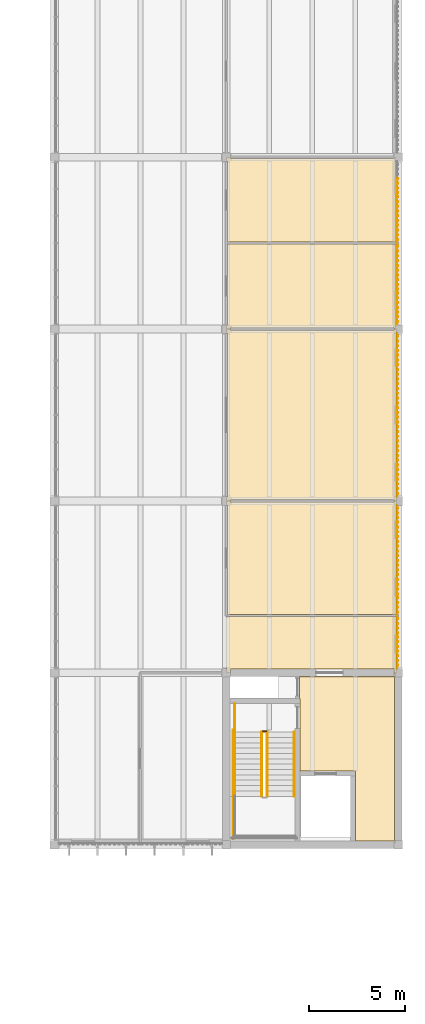
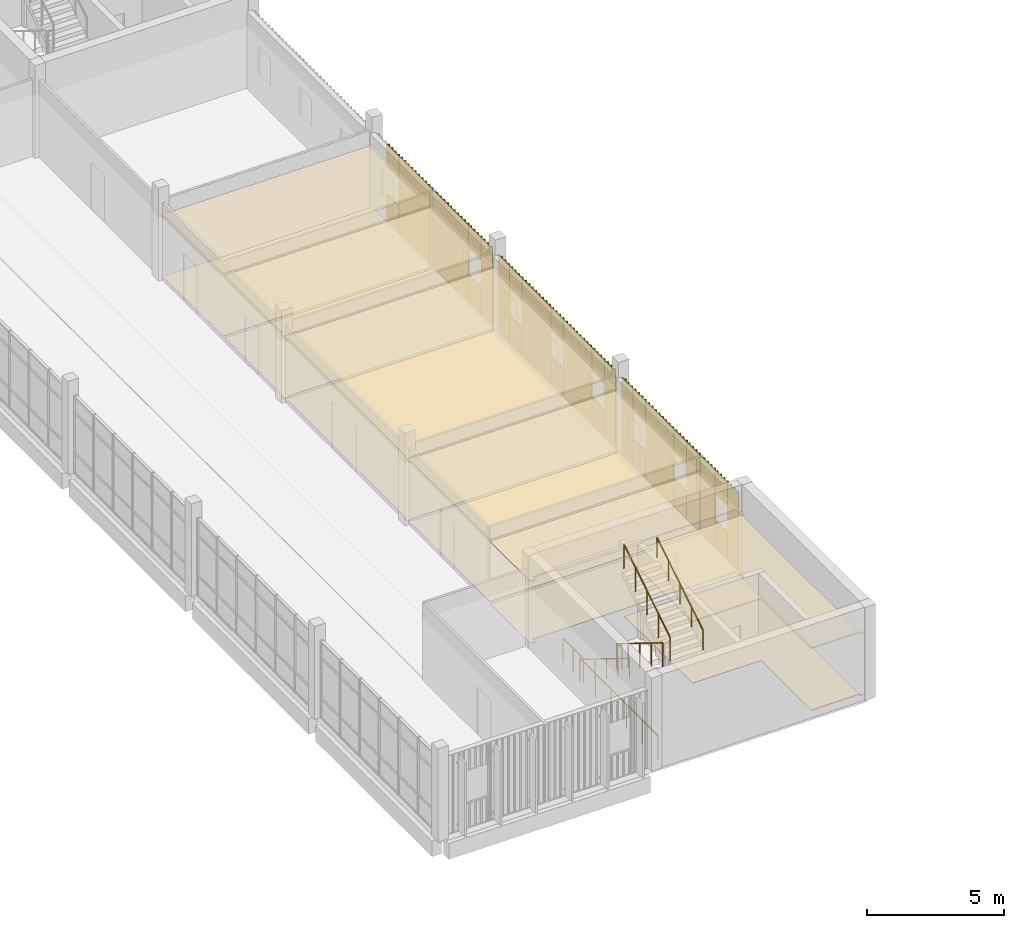
# One storey, part 80 of 88: 40 coverings, 7 railings.
"""IFC4 building model written with IfcOpenShell, lengths in metres."""

from ifc_helpers import new_model, si_unit, direction, frame, origin, origin_2d, place, context, subcontext, project, spatial, polyline, circle, outline, extrude, source, transform, mapped, material, layer, layer_set, type_object, element, save


model = new_model("IFC4")

# Units and contexts
model_context = context("Model", 3, precision=1e-05, world=origin(), true_north=direction((0.0, 1.0)))
body_context = subcontext(model_context, "Body", "Model", "MODEL_VIEW")
ifc_project = project(units=[si_unit("LENGTHUNIT", "METRE"), si_unit("AREAUNIT", "SQUARE_METRE"), si_unit("VOLUMEUNIT", "CUBIC_METRE"), si_unit("PLANEANGLEUNIT", "RADIAN"), si_unit("MASSUNIT", "GRAM", prefix="KILO")], contexts=[model_context])

# Site, building, storey
site_placement = place(None, origin())
site = spatial("IfcSite", under=ifc_project, at=site_placement, CompositionType="ELEMENT")
building_placement = place(site_placement, origin())
building = spatial("IfcBuilding", under=site, at=building_placement, Name="Merrow Basin Faculty of Sciences", CompositionType="ELEMENT")
storey_placement = place(building_placement, frame((0.0, 0.0, 9.0)))
storey = spatial("IfcBuildingStorey", under=building, at=storey_placement, Name="L02", CompositionType="ELEMENT", Elevation=9.0)

# Coverings
ifc_material_1 = material(Name="Carpet tile floor")
ifc_layer_1 = layer(ifc_material_1, 0.02001953125)
ifc_layer_set_1 = layer_set([ifc_layer_1], Name="Carpet tile floor")
covering_type_1 = type_object("IfcCoveringType", Name="Carpet tile floor", PredefinedType="FLOORING", material=ifc_layer_set_1)
covering_1_placement = place(storey_placement, origin())
element("IfcCovering", 1, at=covering_1_placement, inside=storey, type_object=covering_type_1, Name="Floor finish L02-C-026", PredefinedType="FLOORING", context=body_context, shape_type="SweptSolid", body=[
    extrude(outline(polyline([(63.010009765625, 78.989990234375), (63.215087890625, 78.989990234375), (63.215087890625, 78.93994140625), (71.784912109375, 78.93994140625), (71.784912109375, 78.989990234375), (71.889892578125, 78.989990234375), (71.889892578125, 73.06005859375), (63.06005859375, 73.06005859375), (63.06005859375, 78.784912109375), (63.010009765625, 78.784912109375), (63.010009765625, 78.989990234375)])), origin(), (0.0, 0.0, 1.0), 0.02001953125),
])
covering_2_placement = place(storey_placement, origin())
element("IfcCovering", 2, at=covering_2_placement, inside=storey, type_object=covering_type_1, Name="Floor finish L02-C-027", PredefinedType="FLOORING", context=body_context, shape_type="SweptSolid", body=[
    extrude(outline(polyline([(63.010009765625, 79.215087890625), (63.06005859375, 79.215087890625), (63.06005859375, 87.784912109375), (63.010009765625, 87.784912109375), (63.010009765625, 87.989990234375), (63.215087890625, 87.989990234375), (63.215087890625, 87.93994140625), (71.784912109375, 87.93994140625), (71.784912109375, 87.989990234375), (71.889892578125, 87.989990234375), (71.889892578125, 79.010009765625), (71.784912109375, 79.010009765625), (71.784912109375, 79.06005859375), (63.215087890625, 79.06005859375), (63.215087890625, 79.010009765625), (63.010009765625, 79.010009765625), (63.010009765625, 79.215087890625)])), origin(), (0.0, 0.0, 1.0), 0.02001953125),
])
covering_3_placement = place(storey_placement, origin())
element("IfcCovering", 3, at=covering_3_placement, inside=storey, type_object=covering_type_1, Name="Floor finish L02-C-028", PredefinedType="FLOORING", context=body_context, shape_type="SweptSolid", body=[
    extrude(outline(polyline([(63.010009765625, 88.215087890625), (63.06005859375, 88.215087890625), (63.06005859375, 92.43994140625), (71.889892578125, 92.43994140625), (71.889892578125, 88.010009765625), (71.784912109375, 88.010009765625), (71.784912109375, 88.06005859375), (63.215087890625, 88.06005859375), (63.215087890625, 88.010009765625), (63.010009765625, 88.010009765625), (63.010009765625, 88.215087890625)])), origin(), (0.0, 0.0, 1.0), 0.02001953125),
])
covering_4_placement = place(storey_placement, origin())
element("IfcCovering", 4, at=covering_4_placement, inside=storey, type_object=covering_type_1, Name="Floor finish L02-C-029", PredefinedType="FLOORING", context=body_context, shape_type="SweptSolid", body=[
    extrude(outline(polyline([(63.010009765625, 96.989990234375), (63.215087890625, 96.989990234375), (63.215087890625, 96.93994140625), (71.784912109375, 96.93994140625), (71.784912109375, 96.989990234375), (71.889892578125, 96.989990234375), (71.889892578125, 92.56005859375), (63.06005859375, 92.56005859375), (63.06005859375, 96.784912109375), (63.010009765625, 96.784912109375), (63.010009765625, 96.989990234375)])), origin(), (0.0, 0.0, 1.0), 0.02001953125),
])
ifc_material_2 = material(Name="Polished terrazzo floor")
ifc_layer_2 = layer(ifc_material_2, 0.02001953125)
ifc_layer_set_2 = layer_set([ifc_layer_2], Name="Polished terrazzo floor")
covering_type_2 = type_object("IfcCoveringType", Name="Polished terrazzo floor", PredefinedType="FLOORING", material=ifc_layer_set_2)
covering_5_placement = place(storey_placement, origin())
element("IfcCovering", 5, at=covering_5_placement, inside=storey, type_object=covering_type_2, Name="Floor finish L02-C-003", PredefinedType="FLOORING", context=body_context, shape_type="SweptSolid", body=[
    extrude(outline(polyline([(71.889892578125, 69.989990234375), (71.889892578125, 69.784912109375), (71.7900390625, 69.784912109375), (71.7900390625, 61.215087890625), (71.889892578125, 61.215087890625), (71.889892578125, 61.110107421875), (71.784912109375, 61.110107421875), (71.784912109375, 61.2099609375), (69.760009765625, 61.2099609375), (69.760009765625, 64.860107421875), (66.860107421875, 64.860107421875), (66.860107421875, 68.659912109375), (66.8349609375, 68.659912109375), (66.8349609375, 69.7900390625), (71.784912109375, 69.7900390625), (71.784912109375, 69.989990234375), (71.889892578125, 69.989990234375)])), origin(), (0.0, 0.0, 1.0), 0.02001953125),
])
covering_6_placement = place(storey_placement, origin())
element("IfcCovering", 6, at=covering_6_placement, inside=storey, type_object=covering_type_2, Name="Floor finish L02-C-018", PredefinedType="FLOORING", context=body_context, shape_type="SweptSolid", body=[
    extrude(outline(polyline([(63.010009765625, 72.93994140625), (71.889892578125, 72.93994140625), (71.889892578125, 70.010009765625), (71.784912109375, 70.010009765625), (71.784912109375, 70.2099609375), (63.215087890625, 70.2099609375), (63.215087890625, 70.010009765625), (63.010009765625, 70.010009765625), (63.010009765625, 72.93994140625)])), origin(), (0.0, 0.0, 1.0), 0.02001953125),
])

# Railings
ifc_material_3 = material(Name="Steel ASTM A36", Category="steel")
railing_type_1 = type_object("IfcRailingType", Name="Steel guard 1100", PredefinedType="GUARDRAIL", material=ifc_material_3)
railing_1_placement = place(storey_placement, frame((64.85009765625, 66.89990234375, 0.173095703125)))
element("IfcRailing", 7, at=railing_1_placement, inside=storey, type_object=railing_type_1, Name="L02 ST-V2-S stair guard 1", PredefinedType="GUARDRAIL", context=body_context, shape_type="SweptSolid", body=[
    extrude(circle(Radius=0.02392578125, at=origin_2d()), frame((0.0, 0.0, 1.076171875), z_axis=(0.0, -0.850606129759, 0.525803396734), x_axis=(1.0, 0.0, 0.0)), (0.0, 0.0, 1.0), 3.949951171875),
    extrude(circle(Radius=0.02099609375, at=origin_2d()), origin(), (0.0, 0.0, 1.0), 1.052001953125),
    extrude(circle(Radius=0.02099609375, at=origin_2d()), frame((0.0, -0.83984375, 0.519287109375)), (0.0, 0.0, 1.0), 1.052001953125),
    extrude(circle(Radius=0.02099609375, at=origin_2d()), frame((0.0, -1.679931640625, 1.03857421875)), (0.0, 0.0, 1.0), 1.052001953125),
    extrude(circle(Radius=0.02099609375, at=origin_2d()), frame((0.0, -2.52001953125, 1.5576171875)), (0.0, 0.0, 1.0), 1.052001953125),
    extrude(circle(Radius=0.02099609375, at=origin_2d()), frame((0.0, -3.35986328125, 2.076904296875)), (0.0, 0.0, 1.0), 1.052001953125),
])
railing_2_placement = place(storey_placement, frame((65.14990234375, 63.5400390625, 2.423095703125)))
element("IfcRailing", 8, at=railing_2_placement, inside=storey, type_object=railing_type_1, Name="L02 ST-V2-S stair guard 5", PredefinedType="GUARDRAIL", context=body_context, shape_type="SweptSolid", body=[
    extrude(circle(Radius=0.02392578125, at=origin_2d()), frame((0.0, 0.0, 1.076171875), z_axis=(0.0, 0.850606129759, 0.525803396734), x_axis=(-1.0, 0.0, 0.0)), (0.0, 0.0, 1.0), 3.949951171875),
    extrude(circle(Radius=0.02099609375, at=origin_2d()), origin(), (0.0, 0.0, 1.0), 1.052001953125),
    extrude(circle(Radius=0.02099609375, at=origin_2d()), frame((0.0, 0.83984375, 0.519287109375)), (0.0, 0.0, 1.0), 1.052001953125),
    extrude(circle(Radius=0.02099609375, at=origin_2d()), frame((0.0, 1.679931640625, 1.03857421875)), (0.0, 0.0, 1.0), 1.052001953125),
    extrude(circle(Radius=0.02099609375, at=origin_2d()), frame((0.0, 2.52001953125, 1.5576171875)), (0.0, 0.0, 1.0), 1.052001953125),
    extrude(circle(Radius=0.02099609375, at=origin_2d()), frame((0.0, 3.35986328125, 2.076904296875)), (0.0, 0.0, 1.0), 1.052001953125),
])
railing_3_placement = place(storey_placement, frame((64.89990234375, 66.949951171875, 0.0)))
element("IfcRailing", 9, at=railing_3_placement, inside=storey, type_object=railing_type_1, Name="L02 ST-V2-S stair guard 6", PredefinedType="GUARDRAIL", context=body_context, shape_type="SweptSolid", body=[
    extrude(circle(Radius=0.02392578125, at=origin_2d()), frame((0.0, 0.0, 1.076171875), z_axis=(1.0, 0.0, 0.0), x_axis=(0.0, 1.0, 0.0)), (0.0, 0.0, 1.0), 0.2001953125),
    extrude(circle(Radius=0.02099609375, at=origin_2d()), origin(), (0.0, 0.0, 1.0), 1.052001953125),
    extrude(circle(Radius=0.02099609375, at=origin_2d()), frame((0.2001953125, 0.0, 0.0)), (0.0, 0.0, 1.0), 1.052001953125),
])
railing_4_placement = place(storey_placement, frame((63.449951171875, 68.39990234375, 0.0)))
element("IfcRailing", 10, at=railing_4_placement, inside=storey, type_object=railing_type_1, Name="L02 ST-V2-S stair guard 7", PredefinedType="GUARDRAIL", context=body_context, shape_type="SweptSolid", body=[
    extrude(circle(Radius=0.02392578125, at=origin_2d()), frame((0.0, 0.0, 1.076171875), z_axis=(0.0, -1.0, 0.0), x_axis=(1.0, 0.0, 0.0)), (0.0, 0.0, 1.0), 1.5),
    extrude(circle(Radius=0.02099609375, at=origin_2d()), origin(), (0.0, 0.0, 1.0), 1.052001953125),
    extrude(circle(Radius=0.02099609375, at=origin_2d()), frame((0.0, -0.75, 0.0)), (0.0, 0.0, 1.0), 1.052001953125),
    extrude(circle(Radius=0.02099609375, at=origin_2d()), frame((0.0, -1.5, 0.0)), (0.0, 0.0, 1.0), 1.052001953125),
])
railing_5_placement = place(storey_placement, frame((63.35009765625, 67.0, 0.0)))
element("IfcRailing", 11, at=railing_5_placement, inside=storey, type_object=railing_type_1, Name="L02 ST-V2-S stair guard 8", PredefinedType="GUARDRAIL", context=body_context, shape_type="SweptSolid", body=[
    extrude(circle(Radius=0.02392578125, at=origin_2d()), frame((0.0, 0.0, 1.076171875), z_axis=(0.0, -1.0, 0.0), x_axis=(1.0, 0.0, 0.0)), (0.0, 0.0, 1.0), 5.699951171875),
    extrude(circle(Radius=0.02099609375, at=origin_2d()), origin(), (0.0, 0.0, 1.0), 1.052001953125),
    extrude(circle(Radius=0.02099609375, at=origin_2d()), frame((0.0, -1.139892578125, 0.0)), (0.0, 0.0, 1.0), 1.052001953125),
    extrude(circle(Radius=0.02099609375, at=origin_2d()), frame((0.0, -2.280029296875, 0.0)), (0.0, 0.0, 1.0), 1.052001953125),
    extrude(circle(Radius=0.02099609375, at=origin_2d()), frame((0.0, -3.419921875, 0.0)), (0.0, 0.0, 1.0), 1.052001953125),
    extrude(circle(Radius=0.02099609375, at=origin_2d()), frame((0.0, -4.56005859375, 0.0)), (0.0, 0.0, 1.0), 1.052001953125),
    extrude(circle(Radius=0.02099609375, at=origin_2d()), frame((0.0, -5.699951171875, 0.0)), (0.0, 0.0, 1.0), 1.052001953125),
])
ifc_material_4 = material(Name="Steel ASTM A36", Category="steel")
railing_type_2 = type_object("IfcRailingType", Name="Steel handrail 900", PredefinedType="HANDRAIL", material=ifc_material_4)
railing_6_placement = place(storey_placement, frame((63.449951171875, 66.89990234375, 0.173095703125)))
element("IfcRailing", 12, at=railing_6_placement, inside=storey, type_object=railing_type_2, Name="L02 ST-V2-S stair handrail 1", PredefinedType="HANDRAIL", context=body_context, shape_type="SweptSolid", body=[
    extrude(circle(Radius=0.02392578125, at=origin_2d()), frame((0.0, 0.0, 0.8759765625), z_axis=(0.0, -0.850606129759, 0.525803396734), x_axis=(1.0, 0.0, 0.0)), (0.0, 0.0, 1.0), 3.949951171875),
    extrude(circle(Radius=0.02099609375, at=origin_2d()), origin(), (0.0, 0.0, 1.0), 0.851806640625),
    extrude(circle(Radius=0.02099609375, at=origin_2d()), frame((0.0, -0.83984375, 0.519287109375)), (0.0, 0.0, 1.0), 0.851806640625),
    extrude(circle(Radius=0.02099609375, at=origin_2d()), frame((0.0, -1.679931640625, 1.03857421875)), (0.0, 0.0, 1.0), 0.851806640625),
    extrude(circle(Radius=0.02099609375, at=origin_2d()), frame((0.0, -2.52001953125, 1.5576171875)), (0.0, 0.0, 1.0), 0.851806640625),
    extrude(circle(Radius=0.02099609375, at=origin_2d()), frame((0.0, -3.35986328125, 2.076904296875)), (0.0, 0.0, 1.0), 0.851806640625),
])
railing_7_placement = place(storey_placement, frame((66.550048828125, 63.5400390625, 2.423095703125)))
element("IfcRailing", 13, at=railing_7_placement, inside=storey, type_object=railing_type_2, Name="L02 ST-V2-S stair handrail 2", PredefinedType="HANDRAIL", context=body_context, shape_type="SweptSolid", body=[
    extrude(circle(Radius=0.02392578125, at=origin_2d()), frame((0.0, 0.0, 0.8759765625), z_axis=(0.0, 0.850606129759, 0.525803396734), x_axis=(-1.0, 0.0, 0.0)), (0.0, 0.0, 1.0), 3.949951171875),
    extrude(circle(Radius=0.02099609375, at=origin_2d()), origin(), (0.0, 0.0, 1.0), 0.851806640625),
    extrude(circle(Radius=0.02099609375, at=origin_2d()), frame((0.0, 0.83984375, 0.519287109375)), (0.0, 0.0, 1.0), 0.851806640625),
    extrude(circle(Radius=0.02099609375, at=origin_2d()), frame((0.0, 1.679931640625, 1.03857421875)), (0.0, 0.0, 1.0), 0.851806640625),
    extrude(circle(Radius=0.02099609375, at=origin_2d()), frame((0.0, 2.52001953125, 1.5576171875)), (0.0, 0.0, 1.0), 0.851806640625),
    extrude(circle(Radius=0.02099609375, at=origin_2d()), frame((0.0, 3.35986328125, 2.076904296875)), (0.0, 0.0, 1.0), 0.851806640625),
])

# Coverings
ifc_material_5 = material(Name="Mineral fibre ceiling tile")
ifc_layer_3 = layer(ifc_material_5, 0.050048828125)
ifc_layer_set_3 = layer_set([ifc_layer_3], Name="Suspended acoustic ceiling tile")
covering_type_3 = type_object("IfcCoveringType", Name="Suspended acoustic ceiling tile", PredefinedType="CEILING", material=ifc_layer_set_3)
covering_7_placement = place(storey_placement, frame((0.0, 0.0, 2.75)))
element("IfcCovering", 14, at=covering_7_placement, inside=storey, type_object=covering_type_3, Name="Ceiling L02-C-003", PredefinedType="CEILING", context=body_context, shape_type="SweptSolid", body=[
    extrude(outline(polyline([(71.89990234375, 70.0), (71.89990234375, 69.77490234375), (71.800048828125, 69.77490234375), (71.800048828125, 61.22509765625), (71.89990234375, 61.22509765625), (71.89990234375, 61.10009765625), (71.77490234375, 61.10009765625), (71.77490234375, 61.199951171875), (69.75, 61.199951171875), (69.75, 64.85009765625), (66.85009765625, 64.85009765625), (66.85009765625, 68.64990234375), (66.824951171875, 68.64990234375), (66.824951171875, 69.800048828125), (71.77490234375, 69.800048828125), (71.77490234375, 70.0), (71.89990234375, 70.0)])), origin(), (0.0, 0.0, 1.0), 0.050048828125),
])
covering_8_placement = place(storey_placement, frame((0.0, 0.0, 2.75)))
element("IfcCovering", 15, at=covering_8_placement, inside=storey, type_object=covering_type_3, Name="Ceiling L02-C-018", PredefinedType="CEILING", context=body_context, shape_type="SweptSolid", body=[
    extrude(outline(polyline([(63.0, 72.949951171875), (71.89990234375, 72.949951171875), (71.89990234375, 70.0), (71.77490234375, 70.0), (71.77490234375, 70.199951171875), (63.22509765625, 70.199951171875), (63.22509765625, 70.0), (63.0, 70.0), (63.0, 72.949951171875)])), origin(), (0.0, 0.0, 1.0), 0.050048828125),
])
covering_9_placement = place(storey_placement, frame((0.0, 0.0, 2.75)))
element("IfcCovering", 16, at=covering_9_placement, inside=storey, type_object=covering_type_3, Name="Ceiling L02-C-026", PredefinedType="CEILING", context=body_context, shape_type="SweptSolid", body=[
    extrude(outline(polyline([(63.0, 79.0), (63.22509765625, 79.0), (63.22509765625, 78.949951171875), (71.77490234375, 78.949951171875), (71.77490234375, 79.0), (71.89990234375, 79.0), (71.89990234375, 73.050048828125), (63.050048828125, 73.050048828125), (63.050048828125, 78.77490234375), (63.0, 78.77490234375), (63.0, 79.0)])), origin(), (0.0, 0.0, 1.0), 0.050048828125),
])
covering_10_placement = place(storey_placement, frame((0.0, 0.0, 2.75)))
element("IfcCovering", 17, at=covering_10_placement, inside=storey, type_object=covering_type_3, Name="Ceiling L02-C-027", PredefinedType="CEILING", context=body_context, shape_type="SweptSolid", body=[
    extrude(outline(polyline([(63.0, 79.22509765625), (63.050048828125, 79.22509765625), (63.050048828125, 87.77490234375), (63.0, 87.77490234375), (63.0, 88.0), (63.22509765625, 88.0), (63.22509765625, 87.949951171875), (71.77490234375, 87.949951171875), (71.77490234375, 88.0), (71.89990234375, 88.0), (71.89990234375, 79.0), (71.77490234375, 79.0), (71.77490234375, 79.050048828125), (63.22509765625, 79.050048828125), (63.22509765625, 79.0), (63.0, 79.0), (63.0, 79.22509765625)])), origin(), (0.0, 0.0, 1.0), 0.050048828125),
])
covering_11_placement = place(storey_placement, frame((0.0, 0.0, 2.75)))
element("IfcCovering", 18, at=covering_11_placement, inside=storey, type_object=covering_type_3, Name="Ceiling L02-C-028", PredefinedType="CEILING", context=body_context, shape_type="SweptSolid", body=[
    extrude(outline(polyline([(63.0, 88.22509765625), (63.050048828125, 88.22509765625), (63.050048828125, 92.449951171875), (71.89990234375, 92.449951171875), (71.89990234375, 88.0), (71.77490234375, 88.0), (71.77490234375, 88.050048828125), (63.22509765625, 88.050048828125), (63.22509765625, 88.0), (63.0, 88.0), (63.0, 88.22509765625)])), origin(), (0.0, 0.0, 1.0), 0.050048828125),
])
covering_12_placement = place(storey_placement, frame((0.0, 0.0, 2.75)))
element("IfcCovering", 19, at=covering_12_placement, inside=storey, type_object=covering_type_3, Name="Ceiling L02-C-029", PredefinedType="CEILING", context=body_context, shape_type="SweptSolid", body=[
    extrude(outline(polyline([(63.0, 97.0), (63.22509765625, 97.0), (63.22509765625, 96.949951171875), (71.77490234375, 96.949951171875), (71.77490234375, 97.0), (71.89990234375, 97.0), (71.89990234375, 92.550048828125), (63.050048828125, 92.550048828125), (63.050048828125, 96.77490234375), (63.0, 96.77490234375), (63.0, 97.0)])), origin(), (0.0, 0.0, 1.0), 0.050048828125),
])
ifc_material_6 = material(Name="Larch timber", Category="wood")
ifc_layer_4 = layer(ifc_material_6, 0.0849609375)
ifc_layer_set_4 = layer_set([ifc_layer_4], Name="Larch batten cladding 85")
covering_type_4 = type_object("IfcCoveringType", Name="Larch batten cladding 85", PredefinedType="CLADDING", material=ifc_layer_set_4)
shared_shape_1 = source(origin(), body_context, "Body", "SweptSolid", [
    extrude(outline(polyline([(0.0, 0.0), (0.89990234375, 0.0), (0.89990234375, 0.02490234375), (0.85009765625, 0.02490234375), (0.85009765625, 0.0849609375), (0.800048828125, 0.0849609375), (0.800048828125, 0.02490234375), (0.60009765625, 0.02490234375), (0.60009765625, 0.0849609375), (0.550048828125, 0.0849609375), (0.550048828125, 0.02490234375), (0.35009765625, 0.02490234375), (0.35009765625, 0.0849609375), (0.300048828125, 0.0849609375), (0.300048828125, 0.02490234375), (0.10009765625, 0.02490234375), (0.10009765625, 0.0849609375), (0.050048828125, 0.0849609375), (0.050048828125, 0.02490234375), (0.0, 0.02490234375), (0.0, 0.0)])), origin(), (0.0, 0.0, 1.0), 1.199951171875),
])
for number, where, z_axis, x_axis, name in (
    (20, (71.916015625, 71.949951171875, 0.0), (0.0, 0.0, 1.0), (0.0, -1.0, 0.0), "Larch batten cladding"),
    (21, (71.916015625, 77.949951171875, 0.0), (0.0, 0.0, 1.0), (0.0, -1.0, 0.0), "Larch batten cladding"),
    (22, (71.916015625, 74.949951171875, 0.0), (0.0, 0.0, 1.0), (0.0, -1.0, 0.0), "Larch batten cladding"),
    (23, (71.916015625, 86.949951171875, 0.0), (0.0, 0.0, 1.0), (0.0, -1.0, 0.0), "Larch batten cladding"),
    (24, (71.916015625, 83.949951171875, 0.0), (0.0, 0.0, 1.0), (0.0, -1.0, 0.0), "Larch batten cladding"),
    (25, (71.916015625, 80.949951171875, 0.0), (0.0, 0.0, 1.0), (0.0, -1.0, 0.0), "Larch batten cladding"),
    (26, (71.916015625, 89.949951171875, 0.0), (0.0, 0.0, 1.0), (0.0, -1.0, 0.0), "Larch batten cladding"),
    (27, (71.916015625, 95.949951171875, 0.0), (0.0, 0.0, 1.0), (0.0, -1.0, 0.0), "Larch batten cladding"),
):
    element("IfcCovering", number, at=place(storey_placement, frame(where, z_axis=z_axis, x_axis=x_axis)), inside=storey, type_object=covering_type_4, Name=name, PredefinedType="CLADDING", context=body_context, shape_type="MappedRepresentation", body=[
        mapped(shared_shape_1, transform((0.0, 0.0, 0.0), scale=1.0)),
    ])
shared_shape_2 = source(origin(), body_context, "Body", "SweptSolid", [
    extrude(outline(polyline([(0.0, 0.0), (1.0, 0.0), (1.0, 0.02490234375), (0.89990234375, 0.02490234375), (0.89990234375, 0.0849609375), (0.85009765625, 0.0849609375), (0.85009765625, 0.02490234375), (0.64990234375, 0.02490234375), (0.64990234375, 0.0849609375), (0.60009765625, 0.0849609375), (0.60009765625, 0.02490234375), (0.39990234375, 0.02490234375), (0.39990234375, 0.0849609375), (0.35009765625, 0.0849609375), (0.35009765625, 0.02490234375), (0.14990234375, 0.02490234375), (0.14990234375, 0.0849609375), (0.10009765625, 0.0849609375), (0.10009765625, 0.02490234375), (0.0, 0.02490234375), (0.0, 0.0)])), origin(), (0.0, 0.0, 1.0), 3.449951171875),
])
for number, where, z_axis, x_axis, name in (
    (28, (71.916015625, 72.949951171875, 0.0), (0.0, 0.0, 1.0), (0.0, -1.0, 0.0), "Larch batten cladding"),
    (29, (71.916015625, 74.050048828125, 0.0), (0.0, 0.0, 1.0), (0.0, -1.0, 0.0), "Larch batten cladding"),
):
    element("IfcCovering", number, at=place(storey_placement, frame(where, z_axis=z_axis, x_axis=x_axis)), inside=storey, type_object=covering_type_4, Name=name, PredefinedType="CLADDING", context=body_context, shape_type="MappedRepresentation", body=[
        mapped(shared_shape_2, transform((0.0, 0.0, 0.0), scale=1.0)),
    ])
shared_shape_3 = source(origin(), body_context, "Body", "SweptSolid", [
    extrude(outline(polyline([(0.0, 0.0), (0.89990234375, 0.0), (0.89990234375, 0.02490234375), (0.85009765625, 0.02490234375), (0.85009765625, 0.0849609375), (0.800048828125, 0.0849609375), (0.800048828125, 0.02490234375), (0.60009765625, 0.02490234375), (0.60009765625, 0.0849609375), (0.550048828125, 0.0849609375), (0.550048828125, 0.02490234375), (0.35009765625, 0.02490234375), (0.35009765625, 0.0849609375), (0.300048828125, 0.0849609375), (0.300048828125, 0.02490234375), (0.10009765625, 0.02490234375), (0.10009765625, 0.0849609375), (0.050048828125, 0.0849609375), (0.050048828125, 0.02490234375), (0.0, 0.02490234375), (0.0, 0.0)])), origin(), (0.0, 0.0, 1.0), 1.050048828125),
])
for number, where, z_axis, x_axis, name in (
    (30, (71.916015625, 71.949951171875, 2.39990234375), (0.0, 0.0, 1.0), (0.0, -1.0, 0.0), "Larch batten cladding"),
    (31, (71.916015625, 77.949951171875, 2.39990234375), (0.0, 0.0, 1.0), (0.0, -1.0, 0.0), "Larch batten cladding"),
    (32, (71.916015625, 74.949951171875, 2.39990234375), (0.0, 0.0, 1.0), (0.0, -1.0, 0.0), "Larch batten cladding"),
    (33, (71.916015625, 86.949951171875, 2.39990234375), (0.0, 0.0, 1.0), (0.0, -1.0, 0.0), "Larch batten cladding"),
    (34, (71.916015625, 83.949951171875, 2.39990234375), (0.0, 0.0, 1.0), (0.0, -1.0, 0.0), "Larch batten cladding"),
    (35, (71.916015625, 80.949951171875, 2.39990234375), (0.0, 0.0, 1.0), (0.0, -1.0, 0.0), "Larch batten cladding"),
    (36, (71.916015625, 89.949951171875, 2.39990234375), (0.0, 0.0, 1.0), (0.0, -1.0, 0.0), "Larch batten cladding"),
    (37, (71.916015625, 95.949951171875, 2.39990234375), (0.0, 0.0, 1.0), (0.0, -1.0, 0.0), "Larch batten cladding"),
):
    element("IfcCovering", number, at=place(storey_placement, frame(where, z_axis=z_axis, x_axis=x_axis)), inside=storey, type_object=covering_type_4, Name=name, PredefinedType="CLADDING", context=body_context, shape_type="MappedRepresentation", body=[
        mapped(shared_shape_3, transform((0.0, 0.0, 0.0), scale=1.0)),
    ])
shared_shape_4 = source(origin(), body_context, "Body", "SweptSolid", [
    extrude(outline(polyline([(0.0, 0.0), (0.824951171875, 0.0), (0.824951171875, 0.02490234375), (0.68798828125, 0.02490234375), (0.68798828125, 0.0849609375), (0.637939453125, 0.0849609375), (0.637939453125, 0.02490234375), (0.43798828125, 0.02490234375), (0.43798828125, 0.0849609375), (0.387939453125, 0.0849609375), (0.387939453125, 0.02490234375), (0.18798828125, 0.02490234375), (0.18798828125, 0.0849609375), (0.137939453125, 0.0849609375), (0.137939453125, 0.02490234375), (0.0, 0.02490234375), (0.0, 0.0)])), origin(), (0.0, 0.0, 1.0), 3.449951171875),
])
for number, where, z_axis, x_axis, name in (
    (38, (71.916015625, 71.050048828125, 0.0), (0.0, 0.0, 1.0), (0.0, -1.0, 0.0), "Larch batten cladding"),
    (39, (71.916015625, 78.77490234375, 0.0), (0.0, 0.0, 1.0), (0.0, -1.0, 0.0), "Larch batten cladding"),
    (40, (71.916015625, 87.77490234375, 0.0), (0.0, 0.0, 1.0), (0.0, -1.0, 0.0), "Larch batten cladding"),
    (41, (71.916015625, 80.050048828125, 0.0), (0.0, 0.0, 1.0), (0.0, -1.0, 0.0), "Larch batten cladding"),
    (42, (71.916015625, 89.050048828125, 0.0), (0.0, 0.0, 1.0), (0.0, -1.0, 0.0), "Larch batten cladding"),
):
    element("IfcCovering", number, at=place(storey_placement, frame(where, z_axis=z_axis, x_axis=x_axis)), inside=storey, type_object=covering_type_4, Name=name, PredefinedType="CLADDING", context=body_context, shape_type="MappedRepresentation", body=[
        mapped(shared_shape_4, transform((0.0, 0.0, 0.0), scale=1.0)),
    ])
shared_shape_5 = source(origin(), body_context, "Body", "SweptSolid", [
    extrude(outline(polyline([(0.0, 0.0), (2.10009765625, 0.0), (2.10009765625, 0.02490234375), (1.949951171875, 0.02490234375), (1.949951171875, 0.0849609375), (1.89990234375, 0.0849609375), (1.89990234375, 0.02490234375), (1.699951171875, 0.02490234375), (1.699951171875, 0.0849609375), (1.64990234375, 0.0849609375), (1.64990234375, 0.02490234375), (1.449951171875, 0.02490234375), (1.449951171875, 0.0849609375), (1.39990234375, 0.0849609375), (1.39990234375, 0.02490234375), (1.199951171875, 0.02490234375), (1.199951171875, 0.0849609375), (1.14990234375, 0.0849609375), (1.14990234375, 0.02490234375), (0.949951171875, 0.02490234375), (0.949951171875, 0.0849609375), (0.89990234375, 0.0849609375), (0.89990234375, 0.02490234375), (0.699951171875, 0.02490234375), (0.699951171875, 0.0849609375), (0.64990234375, 0.0849609375), (0.64990234375, 0.02490234375), (0.449951171875, 0.02490234375), (0.449951171875, 0.0849609375), (0.39990234375, 0.0849609375), (0.39990234375, 0.02490234375), (0.199951171875, 0.02490234375), (0.199951171875, 0.0849609375), (0.14990234375, 0.0849609375), (0.14990234375, 0.02490234375), (0.0, 0.02490234375), (0.0, 0.0)])), origin(), (0.0, 0.0, 1.0), 3.449951171875),
])
for number, where, z_axis, x_axis, name in (
    (43, (71.916015625, 77.050048828125, 0.0), (0.0, 0.0, 1.0), (0.0, -1.0, 0.0), "Larch batten cladding"),
    (44, (71.916015625, 86.050048828125, 0.0), (0.0, 0.0, 1.0), (0.0, -1.0, 0.0), "Larch batten cladding"),
    (45, (71.916015625, 83.050048828125, 0.0), (0.0, 0.0, 1.0), (0.0, -1.0, 0.0), "Larch batten cladding"),
):
    element("IfcCovering", number, at=place(storey_placement, frame(where, z_axis=z_axis, x_axis=x_axis)), inside=storey, type_object=covering_type_4, Name=name, PredefinedType="CLADDING", context=body_context, shape_type="MappedRepresentation", body=[
        mapped(shared_shape_5, transform((0.0, 0.0, 0.0), scale=1.0)),
    ])
shared_shape_6 = source(origin(), body_context, "Body", "SweptSolid", [
    extrude(outline(polyline([(0.0, 0.0), (2.5, 0.0), (2.5, 0.02490234375), (2.39990234375, 0.02490234375), (2.39990234375, 0.0849609375), (2.35009765625, 0.0849609375), (2.35009765625, 0.02490234375), (2.14990234375, 0.02490234375), (2.14990234375, 0.0849609375), (2.10009765625, 0.0849609375), (2.10009765625, 0.02490234375), (1.89990234375, 0.02490234375), (1.89990234375, 0.0849609375), (1.85009765625, 0.0849609375), (1.85009765625, 0.02490234375), (1.64990234375, 0.02490234375), (1.64990234375, 0.0849609375), (1.60009765625, 0.0849609375), (1.60009765625, 0.02490234375), (1.39990234375, 0.02490234375), (1.39990234375, 0.0849609375), (1.35009765625, 0.0849609375), (1.35009765625, 0.02490234375), (1.14990234375, 0.02490234375), (1.14990234375, 0.0849609375), (1.10009765625, 0.0849609375), (1.10009765625, 0.02490234375), (0.89990234375, 0.02490234375), (0.89990234375, 0.0849609375), (0.85009765625, 0.0849609375), (0.85009765625, 0.02490234375), (0.64990234375, 0.02490234375), (0.64990234375, 0.0849609375), (0.60009765625, 0.0849609375), (0.60009765625, 0.02490234375), (0.39990234375, 0.02490234375), (0.39990234375, 0.0849609375), (0.35009765625, 0.0849609375), (0.35009765625, 0.02490234375), (0.14990234375, 0.02490234375), (0.14990234375, 0.0849609375), (0.10009765625, 0.0849609375), (0.10009765625, 0.02490234375), (0.0, 0.02490234375), (0.0, 0.0)])), origin(), (0.0, 0.0, 1.0), 3.449951171875),
])
for number, where, z_axis, x_axis, name in (
    (46, (71.916015625, 92.449951171875, 0.0), (0.0, 0.0, 1.0), (0.0, -1.0, 0.0), "Larch batten cladding"),
    (47, (71.916015625, 95.050048828125, 0.0), (0.0, 0.0, 1.0), (0.0, -1.0, 0.0), "Larch batten cladding"),
):
    element("IfcCovering", number, at=place(storey_placement, frame(where, z_axis=z_axis, x_axis=x_axis)), inside=storey, type_object=covering_type_4, Name=name, PredefinedType="CLADDING", context=body_context, shape_type="MappedRepresentation", body=[
        mapped(shared_shape_6, transform((0.0, 0.0, 0.0), scale=1.0)),
    ])

save(model, "model.ifc")
